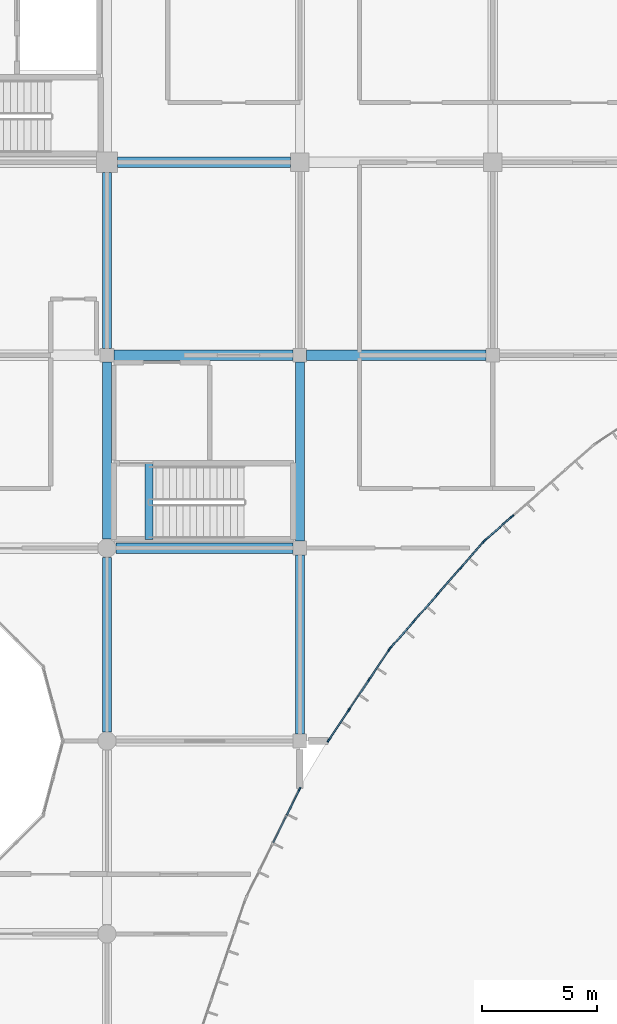
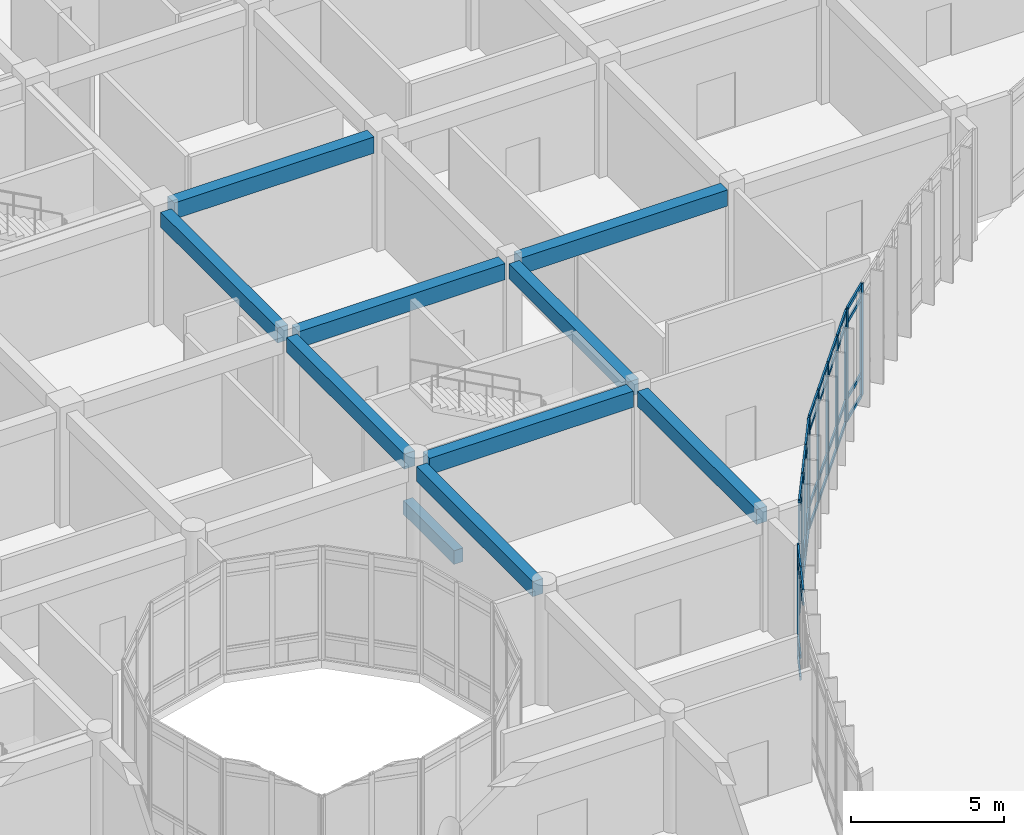
# One storey, part 54 of 138: 50 members, 10 beams, 4 elements without a shape of their own.
"""IFC4 building model written with IfcOpenShell, lengths in metres."""

from ifc_helpers import new_model, si_unit, direction, frame, origin, origin_2d, place, context, subcontext, project, spatial, rectangle, extrude, material, layer, layer_set, material_profile, profile_set, type_object, element, aggregate, save


model = new_model("IFC4")

# Units and contexts
model_context = context("Model", 3, precision=1e-05, world=origin(), true_north=direction((0.0, 1.0)))
body_context = subcontext(model_context, "Body", "Model", "MODEL_VIEW")
ifc_project = project(units=[si_unit("LENGTHUNIT", "METRE"), si_unit("AREAUNIT", "SQUARE_METRE"), si_unit("VOLUMEUNIT", "CUBIC_METRE"), si_unit("PLANEANGLEUNIT", "RADIAN"), si_unit("MASSUNIT", "GRAM", prefix="KILO")], contexts=[model_context])

# Site, building, storey
site_placement = place(None, origin())
site = spatial("IfcSite", under=ifc_project, at=site_placement, CompositionType="ELEMENT")
building_placement = place(site_placement, origin())
building = spatial("IfcBuilding", under=site, at=building_placement, Name="Bramfleet General Hospital", CompositionType="ELEMENT")
storey_placement = place(building_placement, origin())
storey = spatial("IfcBuildingStorey", under=building, at=storey_placement, Name="L00", CompositionType="ELEMENT", Elevation=0.0)

# Beams
ifc_material_1 = material(Name="Concrete C35/45", Category="concrete")
ifc_material_profile_1 = material_profile(ifc_material_1, rectangle(XDim=0.35009765625, YDim=0.550048828125, at=origin_2d()), Name="RC BM 550x350")
ifc_profile_set_1 = profile_set([ifc_material_profile_1], Name="Concrete C35/45")
beam_type_1 = type_object("IfcBeamType", Name="BM-RC550", PredefinedType="BEAM", material=ifc_profile_set_1)
beam_1_placement = place(storey_placement, frame((127.840087890625, 75.97998046875, -0.27490234375), z_axis=(0.0, 1.0, 0.0), x_axis=(-1.0, 0.0, 0.0)))
element("IfcBeam", 1, at=beam_1_placement, inside=storey, type_object=beam_type_1, Name="L00 C12 Stairwell Trimmer Beam", PredefinedType="BEAM", context=body_context, shape_type="SweptSolid", body=[
    extrude(rectangle(XDim=0.35009765625, YDim=0.550048828125, at=origin_2d()), origin(), (0.0, 0.0, 1.0), 3.320068359375),
])
ifc_material_profile_2 = material_profile(ifc_material_1, rectangle(XDim=0.39990234375, YDim=0.60009765625, at=origin_2d()), Name="RC BM 600x400")
ifc_profile_set_2 = profile_set([ifc_material_profile_2], Name="Concrete C35/45")
beam_type_2 = type_object("IfcBeamType", Name="BM-RC600", PredefinedType="BEAM", material=ifc_profile_set_2)
beam_2_placement = place(storey_placement, frame((126.0, 67.60009765625, 4.199951171875), z_axis=(0.0, 1.0, 0.0), x_axis=(-1.0, 0.0, 0.0)))
element("IfcBeam", 2, at=beam_2_placement, inside=storey, type_object=beam_type_2, Name="L00 Grid Beam Y 15-08", PredefinedType="BEAM", context=body_context, shape_type="SweptSolid", body=[
    extrude(rectangle(XDim=0.39990234375, YDim=0.60009765625, at=origin_2d()), origin(), (0.0, 0.0, 1.0), 7.599853515625),
])
beam_3_placement = place(storey_placement, frame((126.0, 76.0, 4.199951171875), z_axis=(0.0, 1.0, 0.0), x_axis=(-1.0, 0.0, 0.0)))
element("IfcBeam", 3, at=beam_3_placement, inside=storey, type_object=beam_type_2, Name="L00 Grid Beam Y 15-09", PredefinedType="BEAM", context=body_context, shape_type="SweptSolid", body=[
    extrude(rectangle(XDim=0.39990234375, YDim=0.60009765625, at=origin_2d()), origin(), (0.0, 0.0, 1.0), 7.699951171875),
])
beam_4_placement = place(storey_placement, frame((126.0, 84.300048828125, 4.199951171875), z_axis=(0.0, 1.0, 0.0), x_axis=(-1.0, 0.0, 0.0)))
element("IfcBeam", 4, at=beam_4_placement, inside=storey, type_object=beam_type_2, Name="L00 Grid Beam Y 15-10", PredefinedType="BEAM", context=body_context, shape_type="SweptSolid", body=[
    extrude(rectangle(XDim=0.39990234375, YDim=0.60009765625, at=origin_2d()), origin(), (0.0, 0.0, 1.0), 7.64990234375),
])
for number, where, z_axis, x_axis, name in (
    (5, (134.39990234375, 67.5, 4.199951171875), (0.0, 1.0, 0.0), (-1.0, 0.0, 0.0), "L00 Grid Beam Y 16-08"),
    (6, (134.39990234375, 75.89990234375, 4.199951171875), (0.0, 1.0, 0.0), (-1.0, 0.0, 0.0), "L00 Grid Beam Y 16-09"),
):
    element("IfcBeam", number, at=place(storey_placement, frame(where, z_axis=z_axis, x_axis=x_axis)), inside=storey, type_object=beam_type_2, Name=name, PredefinedType="BEAM", context=body_context, shape_type="SweptSolid", body=[
        extrude(rectangle(XDim=0.39990234375, YDim=0.60009765625, at=origin_2d()), origin(), (0.0, 0.0, 1.0), 7.800048828125),
    ])
ifc_material_profile_3 = material_profile(ifc_material_1, rectangle(XDim=0.449951171875, YDim=0.64990234375, at=origin_2d()), Name="RC BM 650x450")
ifc_profile_set_3 = profile_set([ifc_material_profile_3], Name="Concrete C35/45")
beam_type_3 = type_object("IfcBeamType", Name="BM-RC650", PredefinedType="BEAM", material=ifc_profile_set_3)
beam_5_placement = place(storey_placement, frame((126.39990234375, 75.60009765625, 4.175048828125), z_axis=(1.0, 0.0, 0.0), x_axis=(0.0, 1.0, 0.0)))
element("IfcBeam", 7, at=beam_5_placement, inside=storey, type_object=beam_type_3, Name="L00 Grid Beam X 15-09", PredefinedType="BEAM", context=body_context, shape_type="SweptSolid", body=[
    extrude(rectangle(XDim=0.449951171875, YDim=0.64990234375, at=origin_2d()), origin(), (0.0, 0.0, 1.0), 7.7001953125),
])
beam_6_placement = place(storey_placement, frame((126.300048828125, 84.0, 4.175048828125), z_axis=(1.0, 0.0, 0.0), x_axis=(0.0, 1.0, 0.0)))
element("IfcBeam", 8, at=beam_6_placement, inside=storey, type_object=beam_type_3, Name="L00 Grid Beam X 15-10", PredefinedType="BEAM", context=body_context, shape_type="SweptSolid", body=[
    extrude(rectangle(XDim=0.449951171875, YDim=0.64990234375, at=origin_2d()), origin(), (0.0, 0.0, 1.0), 7.800048828125),
])
beam_7_placement = place(storey_placement, frame((126.449951171875, 92.39990234375, 4.175048828125), z_axis=(1.0, 0.0, 0.0), x_axis=(0.0, 1.0, 0.0)))
element("IfcBeam", 9, at=beam_7_placement, inside=storey, type_object=beam_type_3, Name="L00 Grid Beam X 15-11", PredefinedType="BEAM", context=body_context, shape_type="SweptSolid", body=[
    extrude(rectangle(XDim=0.449951171875, YDim=0.64990234375, at=origin_2d()), origin(), (0.0, 0.0, 1.0), 7.550048828125),
])
beam_8_placement = place(storey_placement, frame((134.699951171875, 84.0, 4.175048828125), z_axis=(1.0, 0.0, 0.0), x_axis=(0.0, 1.0, 0.0)))
element("IfcBeam", 10, at=beam_8_placement, inside=storey, type_object=beam_type_3, Name="L00 Grid Beam X 16-10", PredefinedType="BEAM", context=body_context, shape_type="SweptSolid", body=[
    extrude(rectangle(XDim=0.449951171875, YDim=0.64990234375, at=origin_2d()), origin(), (0.0, 0.0, 1.0), 7.800048828125),
])

# Curtain wall, members
ifc_material_2 = material(Name="Anodised aluminium and low-E triple glazing", Category="aluminium")
ifc_layer_1 = layer(ifc_material_2, 0.179931640625, Name="CWT-CW-15")
ifc_layer_set_1 = layer_set([ifc_layer_1], Name="Anodised aluminium and low-E triple glazing")
curtain_wall_type_1 = type_object("IfcCurtainWallType", Name="CWT-CW-15", PredefinedType="USERDEFINED", material=ifc_layer_set_1)
curtain_wall_1_placement = place(storey_placement, origin())
curtain_wall_1 = element("IfcCurtainWall", 11, at=curtain_wall_1_placement, inside=storey, type_object=curtain_wall_type_1, Name="L00 Curtain Wall 15", ObjectType="Stick curtain wall", PredefinedType="USERDEFINED")
ifc_material_3 = material(Name="Structural timber GL28h", Category="wood")
ifc_material_profile_4 = material_profile(ifc_material_3, rectangle(XDim=0.070068359375, YDim=0.18994140625, at=origin_2d()), Name="LARCH 190x70")
ifc_profile_set_4 = profile_set([ifc_material_profile_4], Name="Structural timber GL28h")
member_type_1 = type_object("IfcMemberType", Name="CWM-LARCH450", PredefinedType="MULLION", material=ifc_profile_set_4)
member_1_placement = place(storey_placement, frame((143.638916015625, 76.97607421875, 0.0), z_axis=(0.0, 0.0, 1.0), x_axis=(0.659406233864, -0.75178681735, 0.0)))
member_1 = element("IfcMember", 12, at=member_1_placement, type_object=member_type_1, Name="CW-15 mullion 4", PredefinedType="MULLION", context=body_context, shape_type="SweptSolid", body=[
    extrude(rectangle(XDim=0.070068359375, YDim=0.18994140625, at=origin_2d()), origin(), (0.0, 0.0, 1.0), 4.489990234375),
])
member_2_placement = place(storey_placement, frame((142.4853515625, 75.964111328125, 0.0), z_axis=(0.0, 0.0, 1.0), x_axis=(0.659406233864, -0.75178681735, 0.0)))
member_2 = element("IfcMember", 13, at=member_2_placement, type_object=member_type_1, Name="CW-15 mullion 5", PredefinedType="MULLION", context=body_context, shape_type="SweptSolid", body=[
    extrude(rectangle(XDim=0.070068359375, YDim=0.18994140625, at=origin_2d()), origin(), (0.0, 0.0, 1.0), 4.489990234375),
])

ifc_layer_2 = layer(ifc_material_2, 0.179931640625, Name="CWT-CW-16")
ifc_layer_set_2 = layer_set([ifc_layer_2], Name="Anodised aluminium and low-E triple glazing")
curtain_wall_type_2 = type_object("IfcCurtainWallType", Name="CWT-CW-16", PredefinedType="USERDEFINED", material=ifc_layer_set_2)
curtain_wall_2_placement = place(storey_placement, origin())
curtain_wall_2 = element("IfcCurtainWall", 14, at=curtain_wall_2_placement, inside=storey, type_object=curtain_wall_type_2, Name="L00 Curtain Wall 16", ObjectType="Stick curtain wall", PredefinedType="USERDEFINED")
member_3_placement = place(storey_placement, frame((142.43603515625, 75.914794921875, 0.0), z_axis=(0.0, 0.0, 1.0), x_axis=(0.75178681735, -0.659406233864, 0.0)))
member_3 = element("IfcMember", 15, at=member_3_placement, type_object=member_type_1, Name="CW-16 mullion 1", PredefinedType="MULLION", context=body_context, shape_type="SweptSolid", body=[
    extrude(rectangle(XDim=0.070068359375, YDim=0.18994140625, at=origin_2d()), origin(), (0.0, 0.0, 1.0), 4.489990234375),
])
member_4_placement = place(storey_placement, frame((141.424072265625, 74.760986328125, 0.0), z_axis=(0.0, 0.0, 1.0), x_axis=(0.75178681735, -0.659406233864, 0.0)))
member_4 = element("IfcMember", 16, at=member_4_placement, type_object=member_type_1, Name="CW-16 mullion 2", PredefinedType="MULLION", context=body_context, shape_type="SweptSolid", body=[
    extrude(rectangle(XDim=0.070068359375, YDim=0.18994140625, at=origin_2d()), origin(), (0.0, 0.0, 1.0), 4.489990234375),
])
member_5_placement = place(storey_placement, frame((140.388916015625, 73.5810546875, 0.0), z_axis=(0.0, 0.0, 1.0), x_axis=(0.75178681735, -0.659406233864, 0.0)))
member_5 = element("IfcMember", 17, at=member_5_placement, type_object=member_type_1, Name="CW-16 mullion 3", PredefinedType="MULLION", context=body_context, shape_type="SweptSolid", body=[
    extrude(rectangle(XDim=0.070068359375, YDim=0.18994140625, at=origin_2d()), origin(), (0.0, 0.0, 1.0), 4.489990234375),
])
member_6_placement = place(storey_placement, frame((139.35400390625, 72.40087890625, 0.0), z_axis=(0.0, 0.0, 1.0), x_axis=(0.75178681735, -0.659406233864, 0.0)))
member_6 = element("IfcMember", 18, at=member_6_placement, type_object=member_type_1, Name="CW-16 mullion 4", PredefinedType="MULLION", context=body_context, shape_type="SweptSolid", body=[
    extrude(rectangle(XDim=0.070068359375, YDim=0.18994140625, at=origin_2d()), origin(), (0.0, 0.0, 1.0), 4.489990234375),
])
member_7_placement = place(storey_placement, frame((138.342041015625, 71.247314453125, 0.0), z_axis=(0.0, 0.0, 1.0), x_axis=(0.75178681735, -0.659406233864, 0.0)))
member_7 = element("IfcMember", 19, at=member_7_placement, type_object=member_type_1, Name="CW-16 mullion 5", PredefinedType="MULLION", context=body_context, shape_type="SweptSolid", body=[
    extrude(rectangle(XDim=0.070068359375, YDim=0.18994140625, at=origin_2d()), origin(), (0.0, 0.0, 1.0), 4.489990234375),
])

ifc_layer_3 = layer(ifc_material_2, 0.179931640625, Name="CWT-CW-17")
ifc_layer_set_3 = layer_set([ifc_layer_3], Name="Anodised aluminium and low-E triple glazing")
curtain_wall_type_3 = type_object("IfcCurtainWallType", Name="CWT-CW-17", PredefinedType="USERDEFINED", material=ifc_layer_set_3)
curtain_wall_3_placement = place(storey_placement, origin())
curtain_wall_3 = element("IfcCurtainWall", 20, at=curtain_wall_3_placement, inside=storey, type_object=curtain_wall_type_3, Name="L00 Curtain Wall 17", ObjectType="Stick curtain wall", PredefinedType="USERDEFINED")
member_8_placement = place(storey_placement, frame((138.299560546875, 71.19189453125, 0.0), z_axis=(0.0, 0.0, 1.0), x_axis=(0.831540898988, -0.555463530135, 0.0)))
member_8 = element("IfcMember", 21, at=member_8_placement, type_object=member_type_1, Name="CW-17 mullion 1", PredefinedType="MULLION", context=body_context, shape_type="SweptSolid", body=[
    extrude(rectangle(XDim=0.070068359375, YDim=0.18994140625, at=origin_2d()), origin(), (0.0, 0.0, 1.0), 4.489990234375),
])
member_9_placement = place(storey_placement, frame((137.423583984375, 69.880615234375, 0.0), z_axis=(0.0, 0.0, 1.0), x_axis=(0.831540898988, -0.555463530135, 0.0)))
member_9 = element("IfcMember", 22, at=member_9_placement, type_object=member_type_1, Name="CW-17 mullion 2", PredefinedType="MULLION", context=body_context, shape_type="SweptSolid", body=[
    extrude(rectangle(XDim=0.070068359375, YDim=0.18994140625, at=origin_2d()), origin(), (0.0, 0.0, 1.0), 4.489990234375),
])
member_10_placement = place(storey_placement, frame((136.5283203125, 68.540283203125, 0.0), z_axis=(0.0, 0.0, 1.0), x_axis=(0.831540898988, -0.555463530135, 0.0)))
member_10 = element("IfcMember", 23, at=member_10_placement, type_object=member_type_1, Name="CW-17 mullion 3", PredefinedType="MULLION", context=body_context, shape_type="SweptSolid", body=[
    extrude(rectangle(XDim=0.070068359375, YDim=0.18994140625, at=origin_2d()), origin(), (0.0, 0.0, 1.0), 4.489990234375),
])
member_11_placement = place(storey_placement, frame((135.65234375, 67.22900390625, 0.0), z_axis=(0.0, 0.0, 1.0), x_axis=(0.831540898988, -0.555463530135, 0.0)))
member_11 = element("IfcMember", 24, at=member_11_placement, type_object=member_type_1, Name="CW-17 mullion 4", PredefinedType="MULLION", context=body_context, shape_type="SweptSolid", body=[
    extrude(rectangle(XDim=0.070068359375, YDim=0.18994140625, at=origin_2d()), origin(), (0.0, 0.0, 1.0), 4.489990234375),
])

# Curtain wall, member
ifc_layer_4 = layer(ifc_material_2, 0.179931640625, Name="CWT-CW-18")
ifc_layer_set_4 = layer_set([ifc_layer_4], Name="Anodised aluminium and low-E triple glazing")
curtain_wall_type_4 = type_object("IfcCurtainWallType", Name="CWT-CW-18", PredefinedType="USERDEFINED", material=ifc_layer_set_4)
curtain_wall_4_placement = place(storey_placement, origin())
curtain_wall_4 = element("IfcCurtainWall", 25, at=curtain_wall_4_placement, inside=storey, type_object=curtain_wall_type_4, Name="L00 Curtain Wall 18", ObjectType="Stick curtain wall", PredefinedType="USERDEFINED")
member_12_placement = place(storey_placement, frame((134.384521484375, 65.0947265625, 0.0), z_axis=(0.0, 0.0, 1.0), x_axis=(0.896864723513, -0.442304948782, 0.0)))
member_12 = element("IfcMember", 26, at=member_12_placement, type_object=member_type_1, Name="CW-18 mullion 1", PredefinedType="MULLION", context=body_context, shape_type="SweptSolid", body=[
    extrude(rectangle(XDim=0.070068359375, YDim=0.18994140625, at=origin_2d()), origin(), (0.0, 0.0, 1.0), 4.489990234375),
])

# Member
ifc_material_profile_5 = material_profile(ifc_material_3, rectangle(XDim=0.06494140625, YDim=0.14990234375, at=origin_2d()), Name="LARCH 150x65")
ifc_profile_set_5 = profile_set([ifc_material_profile_5], Name="Structural timber GL28h")
member_type_2 = type_object("IfcMemberType", Name="CWT-LARCH220", PredefinedType="USERDEFINED", material=ifc_profile_set_5)
member_13_placement = place(storey_placement, frame((143.61279296875, 76.952880859375, 0.032470703125), z_axis=(-0.75177071058, -0.659424596686, 0.0), x_axis=(0.659424596686, -0.75177071058, 0.0)))
member_13 = element("IfcMember", 27, at=member_13_placement, type_object=member_type_2, Name="CW-15 transom 4.1", ObjectType="TRANSOM", PredefinedType="USERDEFINED", context=body_context, shape_type="SweptSolid", body=[
    extrude(rectangle(XDim=0.06494140625, YDim=0.14990234375, at=origin_2d()), origin(), (0.0, 0.0, 1.0), 1.464599609375),
])

member_14_placement = place(storey_placement, frame((143.61279296875, 76.952880859375, 0.89990234375), z_axis=(-0.75177071058, -0.659424596686, 0.0), x_axis=(0.659424596686, -0.75177071058, 0.0)))
member_14 = element("IfcMember", 28, at=member_14_placement, type_object=member_type_2, Name="CW-15 transom 4.2", ObjectType="TRANSOM", PredefinedType="USERDEFINED", context=body_context, shape_type="SweptSolid", body=[
    extrude(rectangle(XDim=0.06494140625, YDim=0.14990234375, at=origin_2d()), origin(), (0.0, 0.0, 1.0), 1.464599609375),
])

member_15_placement = place(storey_placement, frame((143.61279296875, 76.952880859375, 3.93994140625), z_axis=(-0.75177071058, -0.659424596686, 0.0), x_axis=(0.659424596686, -0.75177071058, 0.0)))
member_15 = element("IfcMember", 29, at=member_15_placement, type_object=member_type_2, Name="CW-15 transom 4.3", ObjectType="TRANSOM", PredefinedType="USERDEFINED", context=body_context, shape_type="SweptSolid", body=[
    extrude(rectangle(XDim=0.06494140625, YDim=0.14990234375, at=origin_2d()), origin(), (0.0, 0.0, 1.0), 1.464599609375),
])

member_16_placement = place(storey_placement, frame((143.61279296875, 76.952880859375, 4.45751953125), z_axis=(-0.75177071058, -0.659424596686, 0.0), x_axis=(0.659424596686, -0.75177071058, 0.0)))
member_16 = element("IfcMember", 30, at=member_16_placement, type_object=member_type_2, Name="CW-15 transom 4.4", ObjectType="TRANSOM", PredefinedType="USERDEFINED", context=body_context, shape_type="SweptSolid", body=[
    extrude(rectangle(XDim=0.06494140625, YDim=0.14990234375, at=origin_2d()), origin(), (0.0, 0.0, 1.0), 1.464599609375),
])

aggregate(curtain_wall_1, [member_1, member_2, member_13, member_14, member_15, member_16])

member_17_placement = place(storey_placement, frame((142.412841796875, 75.888427734375, 0.032470703125), z_axis=(-0.659424596686, -0.75177071058, 0.0), x_axis=(0.75177071058, -0.659424596686, 0.0)))
member_17 = element("IfcMember", 31, at=member_17_placement, type_object=member_type_2, Name="CW-16 transom 1.1", ObjectType="TRANSOM", PredefinedType="USERDEFINED", context=body_context, shape_type="SweptSolid", body=[
    extrude(rectangle(XDim=0.06494140625, YDim=0.14990234375, at=origin_2d()), origin(), (0.0, 0.0, 1.0), 1.464599609375),
])

member_18_placement = place(storey_placement, frame((142.412841796875, 75.888427734375, 0.89990234375), z_axis=(-0.659424596686, -0.75177071058, 0.0), x_axis=(0.75177071058, -0.659424596686, 0.0)))
member_18 = element("IfcMember", 32, at=member_18_placement, type_object=member_type_2, Name="CW-16 transom 1.2", ObjectType="TRANSOM", PredefinedType="USERDEFINED", context=body_context, shape_type="SweptSolid", body=[
    extrude(rectangle(XDim=0.06494140625, YDim=0.14990234375, at=origin_2d()), origin(), (0.0, 0.0, 1.0), 1.464599609375),
])

member_19_placement = place(storey_placement, frame((142.412841796875, 75.888427734375, 3.93994140625), z_axis=(-0.659424596686, -0.75177071058, 0.0), x_axis=(0.75177071058, -0.659424596686, 0.0)))
member_19 = element("IfcMember", 33, at=member_19_placement, type_object=member_type_2, Name="CW-16 transom 1.3", ObjectType="TRANSOM", PredefinedType="USERDEFINED", context=body_context, shape_type="SweptSolid", body=[
    extrude(rectangle(XDim=0.06494140625, YDim=0.14990234375, at=origin_2d()), origin(), (0.0, 0.0, 1.0), 1.464599609375),
])

member_20_placement = place(storey_placement, frame((142.412841796875, 75.888427734375, 4.45751953125), z_axis=(-0.659424596686, -0.75177071058, 0.0), x_axis=(0.75177071058, -0.659424596686, 0.0)))
member_20 = element("IfcMember", 34, at=member_20_placement, type_object=member_type_2, Name="CW-16 transom 1.4", ObjectType="TRANSOM", PredefinedType="USERDEFINED", context=body_context, shape_type="SweptSolid", body=[
    extrude(rectangle(XDim=0.06494140625, YDim=0.14990234375, at=origin_2d()), origin(), (0.0, 0.0, 1.0), 1.464599609375),
])

member_21_placement = place(storey_placement, frame((141.40087890625, 74.734619140625, 0.032470703125), z_axis=(-0.659437818308, -0.751759112871, 0.0), x_axis=(0.751759112871, -0.659437818308, 0.0)))
member_21 = element("IfcMember", 35, at=member_21_placement, type_object=member_type_2, Name="CW-16 transom 2.1", ObjectType="TRANSOM", PredefinedType="USERDEFINED", context=body_context, shape_type="SweptSolid", body=[
    extrude(rectangle(XDim=0.06494140625, YDim=0.14990234375, at=origin_2d()), origin(), (0.0, 0.0, 1.0), 1.49951171875),
])

member_22_placement = place(storey_placement, frame((141.40087890625, 74.734619140625, 0.89990234375), z_axis=(-0.659437818308, -0.751759112871, 0.0), x_axis=(0.751759112871, -0.659437818308, 0.0)))
member_22 = element("IfcMember", 36, at=member_22_placement, type_object=member_type_2, Name="CW-16 transom 2.2", ObjectType="TRANSOM", PredefinedType="USERDEFINED", context=body_context, shape_type="SweptSolid", body=[
    extrude(rectangle(XDim=0.06494140625, YDim=0.14990234375, at=origin_2d()), origin(), (0.0, 0.0, 1.0), 1.49951171875),
])

member_23_placement = place(storey_placement, frame((141.40087890625, 74.734619140625, 3.93994140625), z_axis=(-0.659437818308, -0.751759112871, 0.0), x_axis=(0.751759112871, -0.659437818308, 0.0)))
member_23 = element("IfcMember", 37, at=member_23_placement, type_object=member_type_2, Name="CW-16 transom 2.3", ObjectType="TRANSOM", PredefinedType="USERDEFINED", context=body_context, shape_type="SweptSolid", body=[
    extrude(rectangle(XDim=0.06494140625, YDim=0.14990234375, at=origin_2d()), origin(), (0.0, 0.0, 1.0), 1.49951171875),
])

member_24_placement = place(storey_placement, frame((141.40087890625, 74.734619140625, 4.45751953125), z_axis=(-0.659437818308, -0.751759112871, 0.0), x_axis=(0.751759112871, -0.659437818308, 0.0)))
member_24 = element("IfcMember", 38, at=member_24_placement, type_object=member_type_2, Name="CW-16 transom 2.4", ObjectType="TRANSOM", PredefinedType="USERDEFINED", context=body_context, shape_type="SweptSolid", body=[
    extrude(rectangle(XDim=0.06494140625, YDim=0.14990234375, at=origin_2d()), origin(), (0.0, 0.0, 1.0), 1.49951171875),
])

member_25_placement = place(storey_placement, frame((140.365966796875, 73.5546875, 0.032470703125), z_axis=(-0.659357106204, -0.751829905296, 0.0), x_axis=(0.751829905296, -0.659357106204, 0.0)))
member_25 = element("IfcMember", 39, at=member_25_placement, type_object=member_type_2, Name="CW-16 transom 3.1", ObjectType="TRANSOM", PredefinedType="USERDEFINED", context=body_context, shape_type="SweptSolid", body=[
    extrude(rectangle(XDim=0.06494140625, YDim=0.14990234375, at=origin_2d()), origin(), (0.0, 0.0, 1.0), 1.49951171875),
])

member_26_placement = place(storey_placement, frame((140.365966796875, 73.5546875, 0.89990234375), z_axis=(-0.659357106204, -0.751829905296, 0.0), x_axis=(0.751829905296, -0.659357106204, 0.0)))
member_26 = element("IfcMember", 40, at=member_26_placement, type_object=member_type_2, Name="CW-16 transom 3.2", ObjectType="TRANSOM", PredefinedType="USERDEFINED", context=body_context, shape_type="SweptSolid", body=[
    extrude(rectangle(XDim=0.06494140625, YDim=0.14990234375, at=origin_2d()), origin(), (0.0, 0.0, 1.0), 1.49951171875),
])

member_27_placement = place(storey_placement, frame((140.365966796875, 73.5546875, 3.93994140625), z_axis=(-0.659357106204, -0.751829905296, 0.0), x_axis=(0.751829905296, -0.659357106204, 0.0)))
member_27 = element("IfcMember", 41, at=member_27_placement, type_object=member_type_2, Name="CW-16 transom 3.3", ObjectType="TRANSOM", PredefinedType="USERDEFINED", context=body_context, shape_type="SweptSolid", body=[
    extrude(rectangle(XDim=0.06494140625, YDim=0.14990234375, at=origin_2d()), origin(), (0.0, 0.0, 1.0), 1.49951171875),
])

member_28_placement = place(storey_placement, frame((140.365966796875, 73.5546875, 4.45751953125), z_axis=(-0.659357106204, -0.751829905296, 0.0), x_axis=(0.751829905296, -0.659357106204, 0.0)))
member_28 = element("IfcMember", 42, at=member_28_placement, type_object=member_type_2, Name="CW-16 transom 3.4", ObjectType="TRANSOM", PredefinedType="USERDEFINED", context=body_context, shape_type="SweptSolid", body=[
    extrude(rectangle(XDim=0.06494140625, YDim=0.14990234375, at=origin_2d()), origin(), (0.0, 0.0, 1.0), 1.49951171875),
])

member_29_placement = place(storey_placement, frame((139.330810546875, 72.374755859375, 0.032470703125), z_axis=(-0.659330374914, -0.751853347879, 0.0), x_axis=(0.751853347879, -0.659330374914, 0.0)))
member_29 = element("IfcMember", 43, at=member_29_placement, type_object=member_type_2, Name="CW-16 transom 4.1", ObjectType="TRANSOM", PredefinedType="USERDEFINED", context=body_context, shape_type="SweptSolid", body=[
    extrude(rectangle(XDim=0.06494140625, YDim=0.14990234375, at=origin_2d()), origin(), (0.0, 0.0, 1.0), 1.464599609375),
])

member_30_placement = place(storey_placement, frame((139.330810546875, 72.374755859375, 0.89990234375), z_axis=(-0.659330374914, -0.751853347879, 0.0), x_axis=(0.751853347879, -0.659330374914, 0.0)))
member_30 = element("IfcMember", 44, at=member_30_placement, type_object=member_type_2, Name="CW-16 transom 4.2", ObjectType="TRANSOM", PredefinedType="USERDEFINED", context=body_context, shape_type="SweptSolid", body=[
    extrude(rectangle(XDim=0.06494140625, YDim=0.14990234375, at=origin_2d()), origin(), (0.0, 0.0, 1.0), 1.464599609375),
])

member_31_placement = place(storey_placement, frame((139.330810546875, 72.374755859375, 3.93994140625), z_axis=(-0.659330374914, -0.751853347879, 0.0), x_axis=(0.751853347879, -0.659330374914, 0.0)))
member_31 = element("IfcMember", 45, at=member_31_placement, type_object=member_type_2, Name="CW-16 transom 4.3", ObjectType="TRANSOM", PredefinedType="USERDEFINED", context=body_context, shape_type="SweptSolid", body=[
    extrude(rectangle(XDim=0.06494140625, YDim=0.14990234375, at=origin_2d()), origin(), (0.0, 0.0, 1.0), 1.464599609375),
])

member_32_placement = place(storey_placement, frame((139.330810546875, 72.374755859375, 4.45751953125), z_axis=(-0.659330374914, -0.751853347879, 0.0), x_axis=(0.751853347879, -0.659330374914, 0.0)))
member_32 = element("IfcMember", 46, at=member_32_placement, type_object=member_type_2, Name="CW-16 transom 4.4", ObjectType="TRANSOM", PredefinedType="USERDEFINED", context=body_context, shape_type="SweptSolid", body=[
    extrude(rectangle(XDim=0.06494140625, YDim=0.14990234375, at=origin_2d()), origin(), (0.0, 0.0, 1.0), 1.464599609375),
])

aggregate(curtain_wall_2, [member_3, member_4, member_5, member_6, member_7, member_17, member_18, member_19, member_20, member_21, member_22, member_23, member_24, member_25, member_26, member_27, member_28, member_29, member_30, member_31, member_32])

member_33_placement = place(storey_placement, frame((138.280029296875, 71.162841796875, 0.032470703125), z_axis=(-0.555372982682, -0.831601376927, 0.0), x_axis=(0.831601376927, -0.555372982682, 0.0)))
member_33 = element("IfcMember", 47, at=member_33_placement, type_object=member_type_2, Name="CW-17 transom 1.1", ObjectType="TRANSOM", PredefinedType="USERDEFINED", context=body_context, shape_type="SweptSolid", body=[
    extrude(rectangle(XDim=0.06494140625, YDim=0.14990234375, at=origin_2d()), origin(), (0.0, 0.0, 1.0), 1.5068359375),
])

member_34_placement = place(storey_placement, frame((138.280029296875, 71.162841796875, 0.89990234375), z_axis=(-0.555372982682, -0.831601376927, 0.0), x_axis=(0.831601376927, -0.555372982682, 0.0)))
member_34 = element("IfcMember", 48, at=member_34_placement, type_object=member_type_2, Name="CW-17 transom 1.2", ObjectType="TRANSOM", PredefinedType="USERDEFINED", context=body_context, shape_type="SweptSolid", body=[
    extrude(rectangle(XDim=0.06494140625, YDim=0.14990234375, at=origin_2d()), origin(), (0.0, 0.0, 1.0), 1.5068359375),
])

member_35_placement = place(storey_placement, frame((138.280029296875, 71.162841796875, 3.93994140625), z_axis=(-0.555372982682, -0.831601376927, 0.0), x_axis=(0.831601376927, -0.555372982682, 0.0)))
member_35 = element("IfcMember", 49, at=member_35_placement, type_object=member_type_2, Name="CW-17 transom 1.3", ObjectType="TRANSOM", PredefinedType="USERDEFINED", context=body_context, shape_type="SweptSolid", body=[
    extrude(rectangle(XDim=0.06494140625, YDim=0.14990234375, at=origin_2d()), origin(), (0.0, 0.0, 1.0), 1.5068359375),
])

member_36_placement = place(storey_placement, frame((138.280029296875, 71.162841796875, 4.45751953125), z_axis=(-0.555372982682, -0.831601376927, 0.0), x_axis=(0.831601376927, -0.555372982682, 0.0)))
member_36 = element("IfcMember", 50, at=member_36_placement, type_object=member_type_2, Name="CW-17 transom 1.4", ObjectType="TRANSOM", PredefinedType="USERDEFINED", context=body_context, shape_type="SweptSolid", body=[
    extrude(rectangle(XDim=0.06494140625, YDim=0.14990234375, at=origin_2d()), origin(), (0.0, 0.0, 1.0), 1.5068359375),
])

member_37_placement = place(storey_placement, frame((137.404296875, 69.8515625, 0.032470703125), z_axis=(-0.555430748118, -0.831562796213, 0.0), x_axis=(0.831562796213, -0.555430748118, 0.0)))
member_37 = element("IfcMember", 51, at=member_37_placement, type_object=member_type_2, Name="CW-17 transom 2.1", ObjectType="TRANSOM", PredefinedType="USERDEFINED", context=body_context, shape_type="SweptSolid", body=[
    extrude(rectangle(XDim=0.06494140625, YDim=0.14990234375, at=origin_2d()), origin(), (0.0, 0.0, 1.0), 1.5419921875),
])

member_38_placement = place(storey_placement, frame((137.404296875, 69.8515625, 0.89990234375), z_axis=(-0.555430748118, -0.831562796213, 0.0), x_axis=(0.831562796213, -0.555430748118, 0.0)))
member_38 = element("IfcMember", 52, at=member_38_placement, type_object=member_type_2, Name="CW-17 transom 2.2", ObjectType="TRANSOM", PredefinedType="USERDEFINED", context=body_context, shape_type="SweptSolid", body=[
    extrude(rectangle(XDim=0.06494140625, YDim=0.14990234375, at=origin_2d()), origin(), (0.0, 0.0, 1.0), 1.5419921875),
])

member_39_placement = place(storey_placement, frame((137.404296875, 69.8515625, 3.93994140625), z_axis=(-0.555430748118, -0.831562796213, 0.0), x_axis=(0.831562796213, -0.555430748118, 0.0)))
member_39 = element("IfcMember", 53, at=member_39_placement, type_object=member_type_2, Name="CW-17 transom 2.3", ObjectType="TRANSOM", PredefinedType="USERDEFINED", context=body_context, shape_type="SweptSolid", body=[
    extrude(rectangle(XDim=0.06494140625, YDim=0.14990234375, at=origin_2d()), origin(), (0.0, 0.0, 1.0), 1.5419921875),
])

member_40_placement = place(storey_placement, frame((137.404296875, 69.8515625, 4.45751953125), z_axis=(-0.555430748118, -0.831562796213, 0.0), x_axis=(0.831562796213, -0.555430748118, 0.0)))
member_40 = element("IfcMember", 54, at=member_40_placement, type_object=member_type_2, Name="CW-17 transom 2.4", ObjectType="TRANSOM", PredefinedType="USERDEFINED", context=body_context, shape_type="SweptSolid", body=[
    extrude(rectangle(XDim=0.06494140625, YDim=0.14990234375, at=origin_2d()), origin(), (0.0, 0.0, 1.0), 1.5419921875),
])

member_41_placement = place(storey_placement, frame((136.5087890625, 68.51123046875, 0.032470703125), z_axis=(-0.555447815026, -0.831551396357, 0.0), x_axis=(0.831551396357, -0.555447815026, 0.0)))
member_41 = element("IfcMember", 55, at=member_41_placement, type_object=member_type_2, Name="CW-17 transom 3.1", ObjectType="TRANSOM", PredefinedType="USERDEFINED", context=body_context, shape_type="SweptSolid", body=[
    extrude(rectangle(XDim=0.06494140625, YDim=0.14990234375, at=origin_2d()), origin(), (0.0, 0.0, 1.0), 1.5068359375),
])

member_42_placement = place(storey_placement, frame((136.5087890625, 68.51123046875, 0.89990234375), z_axis=(-0.555447815026, -0.831551396357, 0.0), x_axis=(0.831551396357, -0.555447815026, 0.0)))
member_42 = element("IfcMember", 56, at=member_42_placement, type_object=member_type_2, Name="CW-17 transom 3.2", ObjectType="TRANSOM", PredefinedType="USERDEFINED", context=body_context, shape_type="SweptSolid", body=[
    extrude(rectangle(XDim=0.06494140625, YDim=0.14990234375, at=origin_2d()), origin(), (0.0, 0.0, 1.0), 1.5068359375),
])

member_43_placement = place(storey_placement, frame((136.5087890625, 68.51123046875, 3.93994140625), z_axis=(-0.555447815026, -0.831551396357, 0.0), x_axis=(0.831551396357, -0.555447815026, 0.0)))
member_43 = element("IfcMember", 57, at=member_43_placement, type_object=member_type_2, Name="CW-17 transom 3.3", ObjectType="TRANSOM", PredefinedType="USERDEFINED", context=body_context, shape_type="SweptSolid", body=[
    extrude(rectangle(XDim=0.06494140625, YDim=0.14990234375, at=origin_2d()), origin(), (0.0, 0.0, 1.0), 1.5068359375),
])

member_44_placement = place(storey_placement, frame((136.5087890625, 68.51123046875, 4.45751953125), z_axis=(-0.555447815026, -0.831551396357, 0.0), x_axis=(0.831551396357, -0.555447815026, 0.0)))
member_44 = element("IfcMember", 58, at=member_44_placement, type_object=member_type_2, Name="CW-17 transom 3.4", ObjectType="TRANSOM", PredefinedType="USERDEFINED", context=body_context, shape_type="SweptSolid", body=[
    extrude(rectangle(XDim=0.06494140625, YDim=0.14990234375, at=origin_2d()), origin(), (0.0, 0.0, 1.0), 1.5068359375),
])

aggregate(curtain_wall_3, [member_8, member_9, member_10, member_11, member_33, member_34, member_35, member_36, member_37, member_38, member_39, member_40, member_41, member_42, member_43, member_44])

member_45_placement = place(storey_placement, frame((134.369140625, 65.063232421875, 0.032470703125), z_axis=(-0.442327738397, -0.896853484046, 0.0), x_axis=(0.896853484046, -0.442327738397, 0.0)))
member_45 = element("IfcMember", 59, at=member_45_placement, type_object=member_type_2, Name="CW-18 transom 1.1", ObjectType="TRANSOM", PredefinedType="USERDEFINED", context=body_context, shape_type="SweptSolid", body=[
    extrude(rectangle(XDim=0.06494140625, YDim=0.14990234375, at=origin_2d()), origin(), (0.0, 0.0, 1.0), 1.220947265625),
])

member_46_placement = place(storey_placement, frame((134.369140625, 65.063232421875, 0.89990234375), z_axis=(-0.442327738397, -0.896853484046, 0.0), x_axis=(0.896853484046, -0.442327738397, 0.0)))
member_46 = element("IfcMember", 60, at=member_46_placement, type_object=member_type_2, Name="CW-18 transom 1.2", ObjectType="TRANSOM", PredefinedType="USERDEFINED", context=body_context, shape_type="SweptSolid", body=[
    extrude(rectangle(XDim=0.06494140625, YDim=0.14990234375, at=origin_2d()), origin(), (0.0, 0.0, 1.0), 1.220947265625),
])

member_47_placement = place(storey_placement, frame((134.369140625, 65.063232421875, 3.93994140625), z_axis=(-0.442327738397, -0.896853484046, 0.0), x_axis=(0.896853484046, -0.442327738397, 0.0)))
member_47 = element("IfcMember", 61, at=member_47_placement, type_object=member_type_2, Name="CW-18 transom 1.3", ObjectType="TRANSOM", PredefinedType="USERDEFINED", context=body_context, shape_type="SweptSolid", body=[
    extrude(rectangle(XDim=0.06494140625, YDim=0.14990234375, at=origin_2d()), origin(), (0.0, 0.0, 1.0), 1.220947265625),
])

member_48_placement = place(storey_placement, frame((134.369140625, 65.063232421875, 4.45751953125), z_axis=(-0.442327738397, -0.896853484046, 0.0), x_axis=(0.896853484046, -0.442327738397, 0.0)))
member_48 = element("IfcMember", 62, at=member_48_placement, type_object=member_type_2, Name="CW-18 transom 1.4", ObjectType="TRANSOM", PredefinedType="USERDEFINED", context=body_context, shape_type="SweptSolid", body=[
    extrude(rectangle(XDim=0.06494140625, YDim=0.14990234375, at=origin_2d()), origin(), (0.0, 0.0, 1.0), 1.220947265625),
])

member_49_placement = place(storey_placement, frame((133.798095703125, 63.9052734375, 3.93994140625), z_axis=(-0.44238671825, -0.896824392797, 0.0), x_axis=(0.896824392797, -0.44238671825, 0.0)))
member_49 = element("IfcMember", 63, at=member_49_placement, type_object=member_type_2, Name="CW-18 transom 2.3", ObjectType="TRANSOM", PredefinedType="USERDEFINED", context=body_context, shape_type="SweptSolid", body=[
    extrude(rectangle(XDim=0.06494140625, YDim=0.14990234375, at=origin_2d()), origin(), (0.0, 0.0, 1.0), 1.256103515625),
])

member_50_placement = place(storey_placement, frame((133.798095703125, 63.9052734375, 4.45751953125), z_axis=(-0.44238671825, -0.896824392797, 0.0), x_axis=(0.896824392797, -0.44238671825, 0.0)))
member_50 = element("IfcMember", 64, at=member_50_placement, type_object=member_type_2, Name="CW-18 transom 2.4", ObjectType="TRANSOM", PredefinedType="USERDEFINED", context=body_context, shape_type="SweptSolid", body=[
    extrude(rectangle(XDim=0.06494140625, YDim=0.14990234375, at=origin_2d()), origin(), (0.0, 0.0, 1.0), 1.256103515625),
])

aggregate(curtain_wall_4, [member_12, member_45, member_46, member_47, member_48, member_49, member_50])

save(model, "model.ifc")
